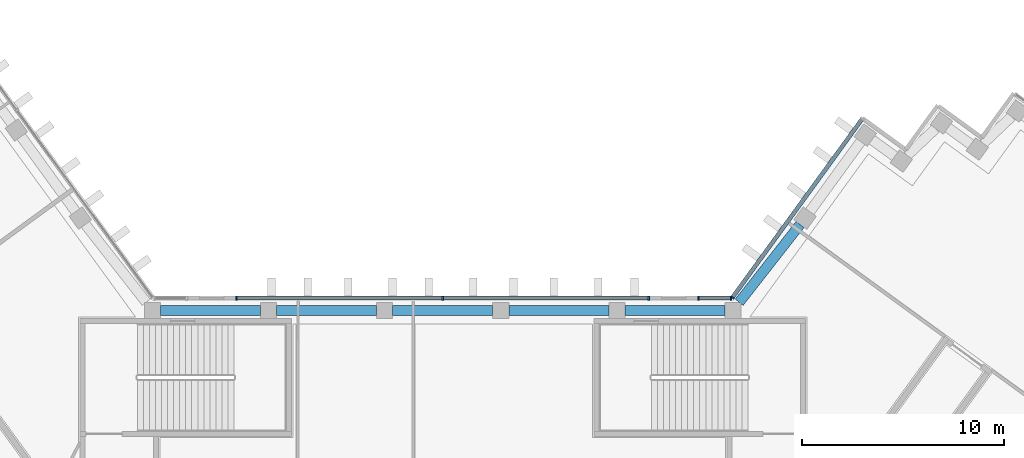
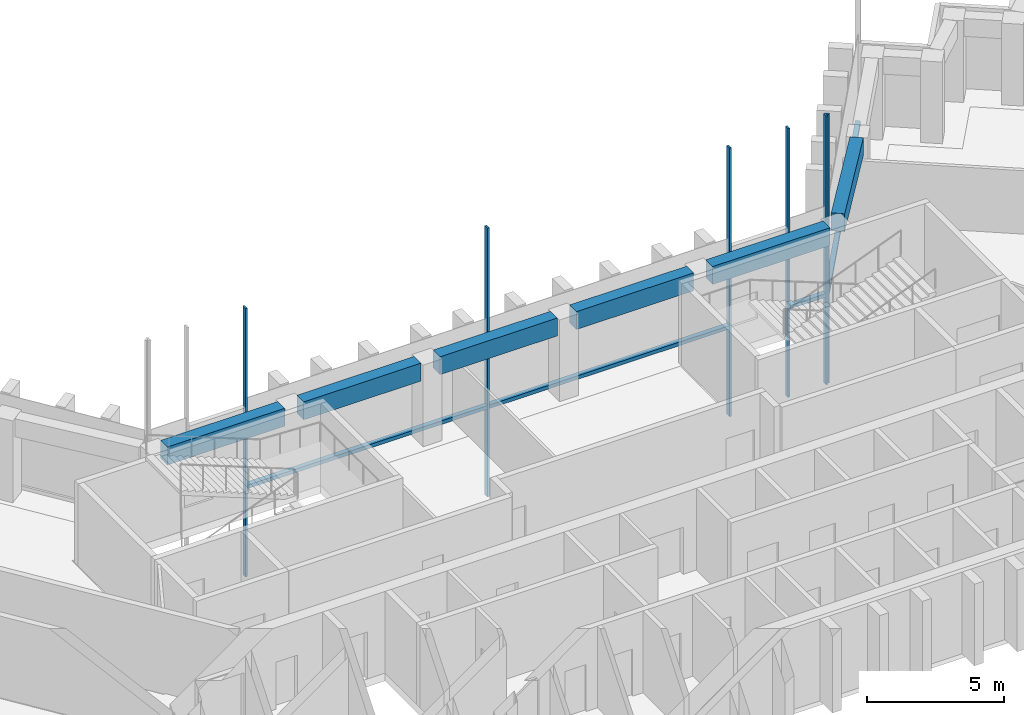
# One storey, part 3 of 14: 10 members, 6 beams, 3 elements without a shape of their own.
"""IFC4 building model written with IfcOpenShell, lengths in metres."""

from ifc_helpers import new_model, si_unit, direction, frame, origin, origin_2d, place, context, subcontext, project, spatial, rectangle, extrude, material, material_profile, profile_set, type_object, element, aggregate, save


model = new_model("IFC4")

# Units and contexts
model_context = context("Model", 3, precision=1e-05, world=origin(), true_north=direction((0.0, 1.0)))
body_context = subcontext(model_context, "Body", "Model", "MODEL_VIEW")
ifc_project = project(units=[si_unit("LENGTHUNIT", "METRE"), si_unit("AREAUNIT", "SQUARE_METRE"), si_unit("VOLUMEUNIT", "CUBIC_METRE"), si_unit("PLANEANGLEUNIT", "RADIAN"), si_unit("MASSUNIT", "GRAM", prefix="KILO")], contexts=[model_context])

# Site, building, storey
site_placement = place(None, origin())
site = spatial("IfcSite", under=ifc_project, at=site_placement, CompositionType="ELEMENT")
building_placement = place(site_placement, origin())
building = spatial("IfcBuilding", under=site, at=building_placement, Name="Quipu Civic Tower", CompositionType="ELEMENT")
storey_placement = place(building_placement, frame((0.0, 0.0, 198.0)))
storey = spatial("IfcBuildingStorey", under=building, at=storey_placement, Name="L46", CompositionType="ELEMENT", Elevation=198.0)

# Curtain wall, member
ifc_material_1 = material(Name="Insulated glass unit", Category="glass")
curtain_wall_type = type_object("IfcCurtainWallType", Name="Office curtain wall CW1", PredefinedType="NOTDEFINED", material=ifc_material_1)
curtain_wall_1_placement = place(storey_placement, origin())
curtain_wall_1 = element("IfcCurtainWall", 1, at=curtain_wall_1_placement, inside=storey, type_object=curtain_wall_type, Name="Office curtain wall CW1 L45 run 11", PredefinedType="NOTDEFINED")
ifc_material_2 = material(Name="Anodised aluminium", Category="aluminium")
ifc_material_profile_1 = material_profile(ifc_material_2, rectangle(XDim=0.199951171875, YDim=0.080078125, at=origin_2d()), Name="RECT 200x80")
ifc_profile_set_1 = profile_set([ifc_material_profile_1], Name="Anodised aluminium")
member_type_1 = type_object("IfcMemberType", Name="Mullion CW1", PredefinedType="MULLION", material=ifc_profile_set_1)
member_1_placement = place(storey_placement, frame((14.36767578125, 11.13232421875, -3.919921875), z_axis=(0.0, 0.0, 1.0), x_axis=(0.809015163947, -0.587787771652, 0.0)))
member_1 = element("IfcMember", 2, at=member_1_placement, type_object=member_type_1, Name="CW1 mullion 2", PredefinedType="MULLION", context=body_context, shape_type="SweptSolid", body=[
    extrude(rectangle(XDim=0.199951171875, YDim=0.080078125, at=origin_2d()), origin(), (0.0, 0.0, 1.0), 12.0),
])

# Curtain wall, members
curtain_wall_2_placement = place(storey_placement, origin())
curtain_wall_2 = element("IfcCurtainWall", 3, at=curtain_wall_2_placement, inside=storey, type_object=curtain_wall_type, Name="Office curtain wall CW1 L45 run 12", PredefinedType="NOTDEFINED")
member_2_placement = place(storey_placement, frame((14.30419921875, 11.10009765625, -3.919921875), z_axis=(0.0, 0.0, 1.0), x_axis=(0.0, -1.0, 0.0)))
member_2 = element("IfcMember", 4, at=member_2_placement, type_object=member_type_1, Name="CW1 mullion 1", PredefinedType="MULLION", context=body_context, shape_type="SweptSolid", body=[
    extrude(rectangle(XDim=0.199951171875, YDim=0.080078125, at=origin_2d()), origin(), (0.0, 0.0, 1.0), 12.0),
])
member_3_placement = place(storey_placement, frame((12.695068359375, 11.10009765625, -3.919921875), z_axis=(0.0, 0.0, 1.0), x_axis=(0.0, -1.0, 0.0)))
member_3 = element("IfcMember", 5, at=member_3_placement, type_object=member_type_1, Name="CW1 mullion 2", PredefinedType="MULLION", context=body_context, shape_type="SweptSolid", body=[
    extrude(rectangle(XDim=0.199951171875, YDim=0.080078125, at=origin_2d()), origin(), (0.0, 0.0, 1.0), 12.0),
])

curtain_wall_3_placement = place(storey_placement, origin())
curtain_wall_3 = element("IfcCurtainWall", 6, at=curtain_wall_3_placement, inside=storey, type_object=curtain_wall_type, Name="Office curtain wall CW1 L45 run 14", PredefinedType="NOTDEFINED")
member_4_placement = place(storey_placement, frame((10.223388671875, 11.10009765625, -3.919921875), z_axis=(0.0, 0.0, 1.0), x_axis=(0.0, -1.0, 0.0)))
member_4 = element("IfcMember", 7, at=member_4_placement, type_object=member_type_1, Name="CW1 mullion 1", PredefinedType="MULLION", context=body_context, shape_type="SweptSolid", body=[
    extrude(rectangle(XDim=0.199951171875, YDim=0.080078125, at=origin_2d()), origin(), (0.0, 0.0, 1.0), 12.0),
])
member_5_placement = place(storey_placement, frame((0.0, 11.10009765625, -3.919921875), z_axis=(0.0, 0.0, 1.0), x_axis=(0.0, -1.0, 0.0)))
member_5 = element("IfcMember", 8, at=member_5_placement, type_object=member_type_1, Name="CW1 mullion 2", PredefinedType="MULLION", context=body_context, shape_type="SweptSolid", body=[
    extrude(rectangle(XDim=0.199951171875, YDim=0.080078125, at=origin_2d()), origin(), (0.0, 0.0, 1.0), 12.0),
])
member_6_placement = place(storey_placement, frame((-10.223388671875, 11.10009765625, -3.919921875), z_axis=(0.0, 0.0, 1.0), x_axis=(0.0, -1.0, 0.0)))
member_6 = element("IfcMember", 9, at=member_6_placement, type_object=member_type_1, Name="CW1 mullion 3", PredefinedType="MULLION", context=body_context, shape_type="SweptSolid", body=[
    extrude(rectangle(XDim=0.199951171875, YDim=0.080078125, at=origin_2d()), origin(), (0.0, 0.0, 1.0), 12.0),
])

# Beams
ifc_material_3 = material(Name="Concrete C50/60", Category="concrete")
ifc_material_profile_2 = material_profile(ifc_material_3, rectangle(XDim=0.5, YDim=0.800048828125, at=origin_2d()), Name="RC500x800")
ifc_profile_set_2 = profile_set([ifc_material_profile_2], Name="Concrete C50/60")
beam_type = type_object("IfcBeamType", Name="Spandrel beam RC 500x800 C50/60", PredefinedType="SPANDREL", material=ifc_profile_set_2)
beam_placement = place(storey_placement, frame((17.72705078125, 14.759765625, 3.25), z_axis=(-0.616090612932, -0.787675286306, 0.0), x_axis=(0.787675286306, -0.616090612932, 0.0)))
element("IfcBeam", 10, at=beam_placement, inside=storey, type_object=beam_type, Name="Spandrel beam L46 E-IN-01 to J-Ei.0", PredefinedType="SPANDREL", context=body_context, shape_type="SweptSolid", body=[
    extrude(rectangle(XDim=0.5, YDim=0.800048828125, at=origin_2d()), origin(), (0.0, 0.0, 1.0), 4.900390625),
])
for number, where, z_axis, x_axis, name in (
    (11, (13.9951171875, 10.5, 3.25), (-1.0, 0.0, 0.0), (0.0, -1.0, 0.0), "Spandrel beam L46 J-Ei.0 to FRONT-01"),
    (12, (8.237060546875, 10.5, 3.25), (-1.0, 0.0, 0.0), (0.0, -1.0, 0.0), "Spandrel beam L46 FRONT-01 to FRONT-02"),
    (13, (2.47900390625, 10.5, 3.25), (-1.0, 0.0, 0.0), (0.0, -1.0, 0.0), "Spandrel beam L46 FRONT-02 to FRONT-03"),
    (14, (-3.279052734375, 10.5, 3.25), (-1.0, 0.0, 0.0), (0.0, -1.0, 0.0), "Spandrel beam L46 FRONT-03 to FRONT-04"),
    (15, (-9.037109375, 10.5, 3.25), (-1.0, 0.0, 0.0), (0.0, -1.0, 0.0), "Spandrel beam L46 FRONT-04 to J-Wi.0"),
):
    element("IfcBeam", number, at=place(storey_placement, frame(where, z_axis=z_axis, x_axis=x_axis)), inside=storey, type_object=beam_type, Name=name, PredefinedType="SPANDREL", context=body_context, shape_type="SweptSolid", body=[
        extrude(rectangle(XDim=0.5, YDim=0.800048828125, at=origin_2d()), origin(), (0.0, 0.0, 1.0), 4.9580078125),
    ])

# Member
ifc_material_4 = material(Name="Anodised aluminium", Category="aluminium")
ifc_material_profile_3 = material_profile(ifc_material_4, rectangle(XDim=0.199951171875, YDim=0.159912109375, at=origin_2d()), Name="RECT 200x160")
ifc_profile_set_3 = profile_set([ifc_material_profile_3], Name="Anodised aluminium")
member_type_2 = type_object("IfcMemberType", Name="Transom CW1", PredefinedType="USERDEFINED", material=ifc_profile_set_3)
member_7_placement = place(storey_placement, frame((20.788818359375, 19.97021484375, 0.080078125), z_axis=(-0.587796859727, -0.809008560953, 0.0), x_axis=(0.809008560953, -0.587796859727, 0.0)))
member_7 = element("IfcMember", 16, at=member_7_placement, type_object=member_type_2, Name="CW1 transom 1.2", ObjectType="TRANSOM", PredefinedType="USERDEFINED", context=body_context, shape_type="SweptSolid", body=[
    extrude(rectangle(XDim=0.199951171875, YDim=0.159912109375, at=origin_2d()), origin(), (0.0, 0.0, 1.0), 10.88427734375),
])

aggregate(curtain_wall_1, [member_1, member_7])

member_8_placement = place(storey_placement, frame((14.26416015625, 11.10009765625, 0.080078125), z_axis=(-1.0, 0.0, 0.0), x_axis=(0.0, -1.0, 0.0)))
member_8 = element("IfcMember", 17, at=member_8_placement, type_object=member_type_2, Name="CW1 transom 1.2", ObjectType="TRANSOM", PredefinedType="USERDEFINED", context=body_context, shape_type="SweptSolid", body=[
    extrude(rectangle(XDim=0.199951171875, YDim=0.159912109375, at=origin_2d()), origin(), (0.0, 0.0, 1.0), 1.529052734375),
])

aggregate(curtain_wall_2, [member_2, member_3, member_8])

member_9_placement = place(storey_placement, frame((10.18359375, 11.10009765625, 0.080078125), z_axis=(-1.0, 0.0, 0.0), x_axis=(0.0, -1.0, 0.0)))
member_9 = element("IfcMember", 18, at=member_9_placement, type_object=member_type_2, Name="CW1 transom 1.2", ObjectType="TRANSOM", PredefinedType="USERDEFINED", context=body_context, shape_type="SweptSolid", body=[
    extrude(rectangle(XDim=0.199951171875, YDim=0.159912109375, at=origin_2d()), origin(), (0.0, 0.0, 1.0), 10.1435546875),
])

member_10_placement = place(storey_placement, frame((-0.0400390625, 11.10009765625, 0.080078125), z_axis=(-1.0, 0.0, 0.0), x_axis=(0.0, -1.0, 0.0)))
member_10 = element("IfcMember", 19, at=member_10_placement, type_object=member_type_2, Name="CW1 transom 2.2", ObjectType="TRANSOM", PredefinedType="USERDEFINED", context=body_context, shape_type="SweptSolid", body=[
    extrude(rectangle(XDim=0.199951171875, YDim=0.159912109375, at=origin_2d()), origin(), (0.0, 0.0, 1.0), 10.1435546875),
])

aggregate(curtain_wall_3, [member_4, member_5, member_6, member_9, member_10])

save(model, "model.ifc")
